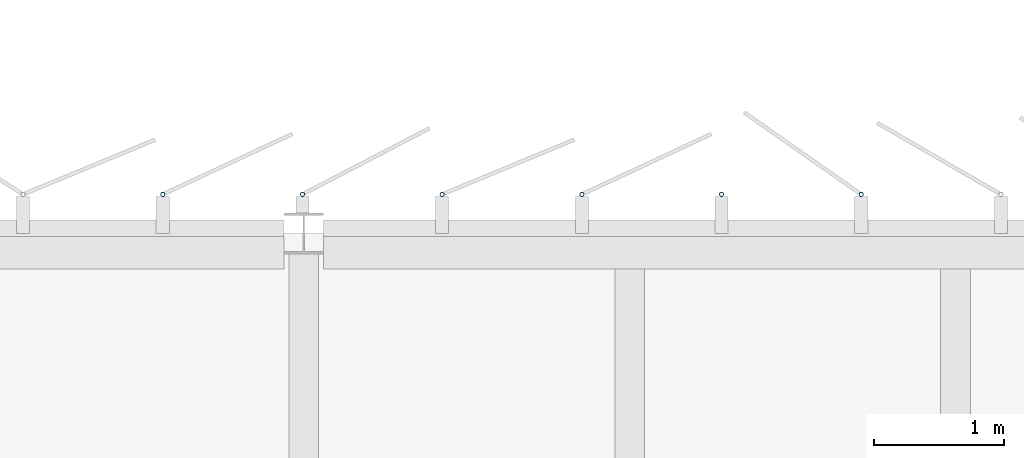
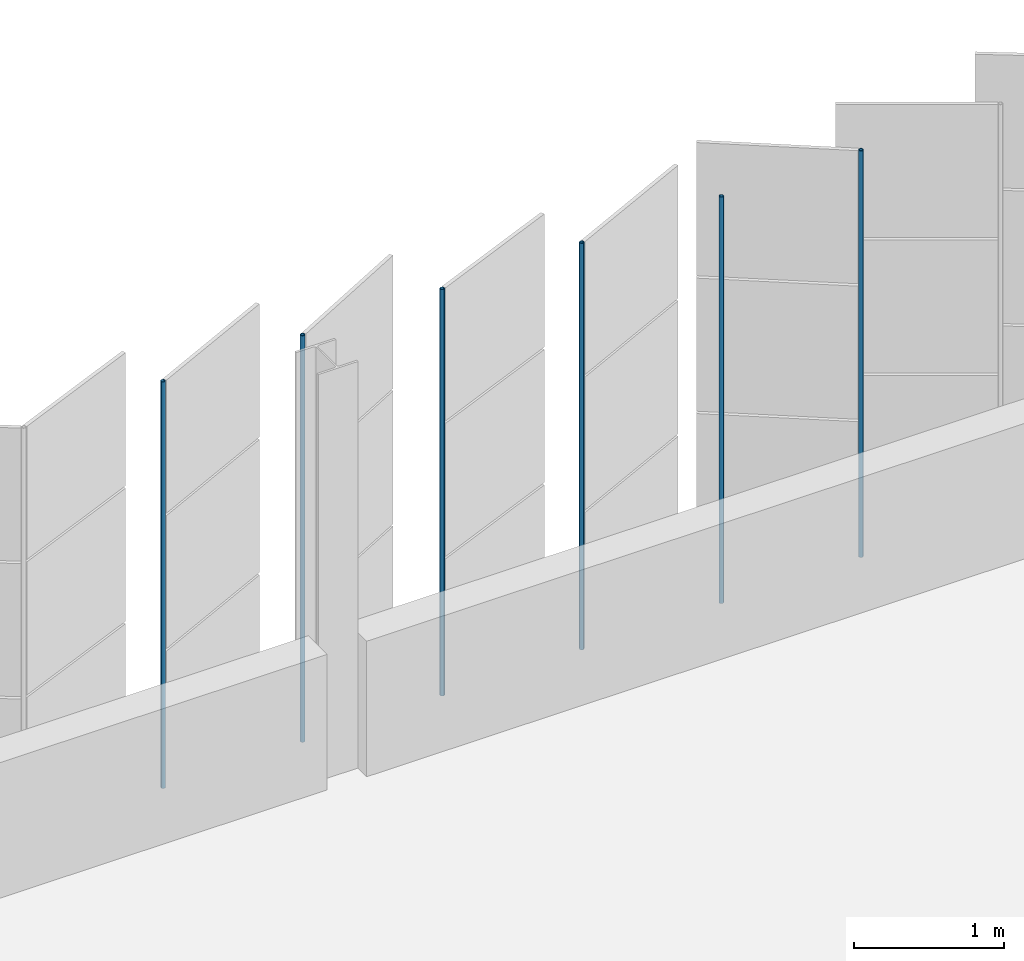
# One storey, part 154 of 214: 6 discrete accessories.
"""IFC4 building model written with IfcOpenShell, lengths in metres."""

from ifc_helpers import new_model, si_unit, direction, frame, origin, origin_2d, place, context, subcontext, project, spatial, hollow_circle, extrude, material, material_profile, profile_set, type_object, element, save


model = new_model("IFC4")

# Units and contexts
model_context = context("Model", 3, precision=1e-05, world=origin(), true_north=direction((0.0, 1.0)))
body_context = subcontext(model_context, "Body", "Model", "MODEL_VIEW")
ifc_project = project(units=[si_unit("LENGTHUNIT", "METRE"), si_unit("AREAUNIT", "SQUARE_METRE"), si_unit("VOLUMEUNIT", "CUBIC_METRE"), si_unit("PLANEANGLEUNIT", "RADIAN"), si_unit("MASSUNIT", "GRAM", prefix="KILO")], contexts=[model_context])

# Site, building, storey
site_placement = place(None, origin())
site = spatial("IfcSite", under=ifc_project, at=site_placement, CompositionType="ELEMENT")
building_placement = place(site_placement, origin())
building = spatial("IfcBuilding", under=site, at=building_placement, Name="Parallax Yard Mobility Hub", CompositionType="ELEMENT")
storey_placement = place(building_placement, frame((0.0, 0.0, 3.300048828125)))
storey = spatial("IfcBuildingStorey", under=building, at=storey_placement, Name="L01", CompositionType="ELEMENT", Elevation=3.300048828125)

# Discrete accessories
ifc_material = material(Name="Steel ASTM A500 Gr C, hot-dip galvanised", Category="steel")
ifc_material_profile = material_profile(ifc_material, hollow_circle(Radius=0.016845703125, WallThickness=0.003173828125, at=origin_2d()), Name="CHS 33.7x3.2")
ifc_profile_set = profile_set([ifc_material_profile], Name="Steel ASTM A500 Gr C, hot-dip galvanised")
discrete_accessory_type = type_object("IfcDiscreteAccessoryType", Name="Hinge post CHS 33.7x3.2", PredefinedType="BRACKET", material=ifc_profile_set)
for number, where, z_axis, x_axis, name in (
    (1, (79.276611328125, 142.800048828125, 0.0), (0.0, 0.0, 1.0), (1.0, 0.0, 0.0), "Hinge post bay 63.4 level L01"),
    (2, (78.205078125, 142.800048828125, 0.0), (0.0, 0.0, 1.0), (1.0, 0.0, 0.0), "Hinge post bay 63.5 level L01"),
    (3, (77.13330078125, 142.800048828125, 0.0), (0.0, 0.0, 1.0), (1.0, 0.0, 0.0), "Hinge post bay 63.6 level L01"),
    (4, (76.06201171875, 142.800048828125, 0.0), (0.0, 0.0, 1.0), (1.0, 0.0, 0.0), "Hinge post bay 63.7 level L01"),
    (5, (74.990234375, 142.800048828125, 0.0), (0.0, 0.0, 1.0), (1.0, 0.0, 0.0), "Hinge post bay 64.1 level L01"),
    (6, (73.918701171875, 142.800048828125, 0.0), (0.0, 0.0, 1.0), (1.0, 0.0, 0.0), "Hinge post bay 64.2 level L01"),
):
    element("IfcDiscreteAccessory", number, at=place(storey_placement, frame(where, z_axis=z_axis, x_axis=x_axis)), inside=storey, type_object=discrete_accessory_type, Name=name, PredefinedType="BRACKET", context=body_context, shape_type="SweptSolid", body=[
        extrude(hollow_circle(Radius=0.016845703125, WallThickness=0.003173828125, at=origin_2d()), origin(), (0.0, 0.0, 1.0), 3.300048828125),
    ])

save(model, "model.ifc")
